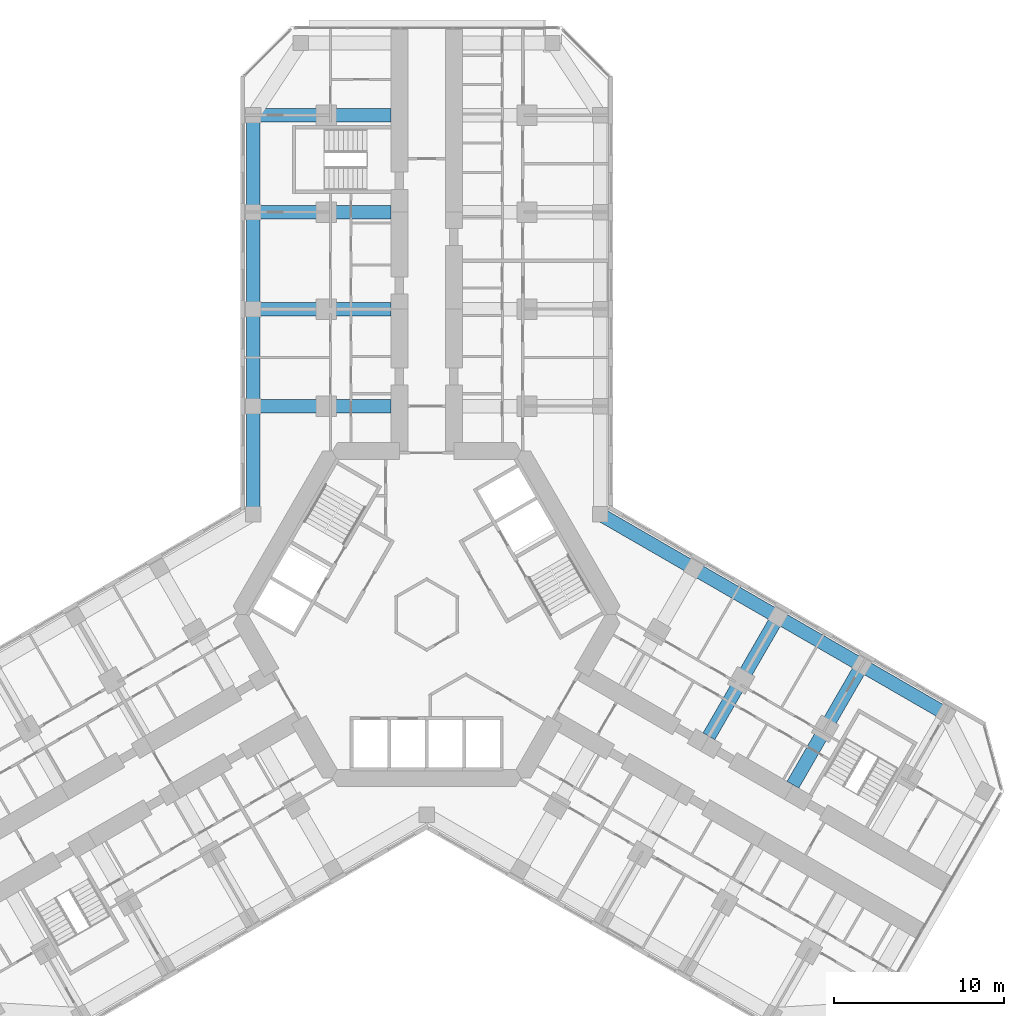
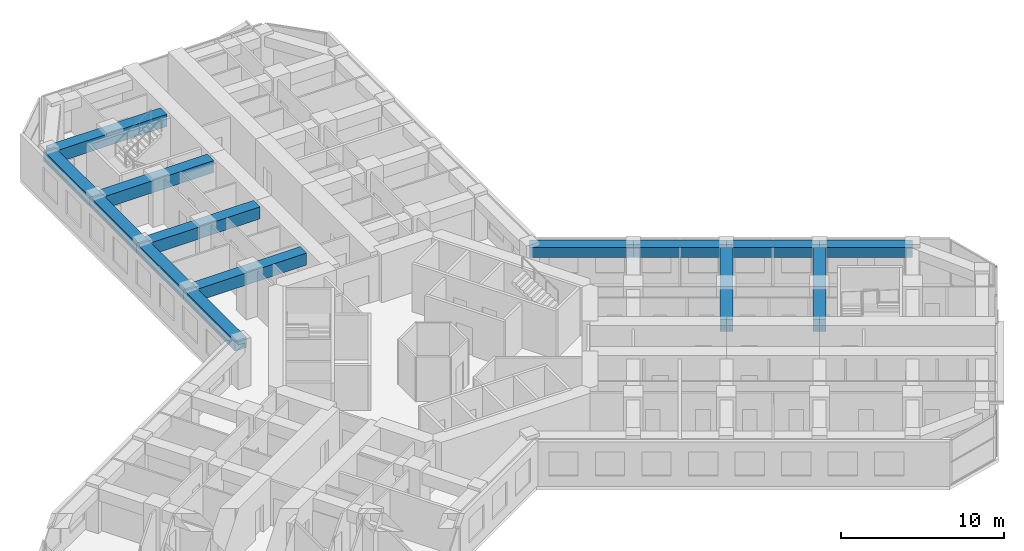
# One storey, part 6 of 21: 14 beams.
"""IFC4 building model written with IfcOpenShell, lengths in metres."""

from ifc_helpers import new_model, si_unit, direction, frame, origin, origin_2d, place, context, subcontext, project, spatial, rectangle, extrude, material, material_profile, profile_set, type_object, element, save


model = new_model("IFC4")

# Units and contexts
model_context = context("Model", 3, precision=1e-05, world=origin(), true_north=direction((0.0, 1.0)))
body_context = subcontext(model_context, "Body", "Model", "MODEL_VIEW")
ifc_project = project(units=[si_unit("LENGTHUNIT", "METRE"), si_unit("AREAUNIT", "SQUARE_METRE"), si_unit("VOLUMEUNIT", "CUBIC_METRE"), si_unit("PLANEANGLEUNIT", "RADIAN"), si_unit("MASSUNIT", "GRAM", prefix="KILO")], contexts=[model_context])

# Site, building, storey
site_placement = place(None, origin())
site = spatial("IfcSite", under=ifc_project, at=site_placement, CompositionType="ELEMENT")
building_placement = place(site_placement, origin())
building = spatial("IfcBuilding", under=site, at=building_placement, Name="Kosmar Iwan School Tower", CompositionType="ELEMENT")
storey_placement = place(building_placement, frame((0.0, 0.0, 80.800048828125)))
storey = spatial("IfcBuildingStorey", under=building, at=storey_placement, Name="L19", CompositionType="ELEMENT", Elevation=80.800048828125)

# Beams
ifc_material_1 = material(Name="Concrete C50/60", Category="concrete")
ifc_material_profile_1 = material_profile(ifc_material_1, rectangle(XDim=0.800048828125, YDim=0.75, at=origin_2d()), Name="RC 800x750")
ifc_profile_set_1 = profile_set([ifc_material_profile_1], Name="Concrete C50/60")
beam_type_1 = type_object("IfcBeamType", Name="RC edge beam 800x750", PredefinedType="BEAM", material=ifc_profile_set_1)
beam_1_placement = place(storey_placement, frame((-10.199951171875, 5.888916015625, 2.974853515625), z_axis=(0.0, 1.0, 0.0), x_axis=(-1.0, 0.0, 0.0)))
element("IfcBeam", 1, at=beam_1_placement, inside=storey, type_object=beam_type_1, Name="Edge beam AL1", PredefinedType="BEAM", context=body_context, shape_type="SweptSolid", body=[
    extrude(rectangle(XDim=0.800048828125, YDim=0.75, at=origin_2d()), origin(), (0.0, 0.0, 1.0), 6.361083984375),
])
for number, where, z_axis, x_axis, name in (
    (2, (-10.199951171875, 12.25, 2.974853515625), (0.0, 1.0, 0.0), (-1.0, 0.0, 0.0), "Edge beam AL2"),
    (3, (-10.199951171875, 17.949951171875, 2.974853515625), (0.0, 1.0, 0.0), (-1.0, 0.0, 0.0), "Edge beam AL3"),
):
    element("IfcBeam", number, at=place(storey_placement, frame(where, z_axis=z_axis, x_axis=x_axis)), inside=storey, type_object=beam_type_1, Name=name, PredefinedType="BEAM", context=body_context, shape_type="SweptSolid", body=[
        extrude(rectangle(XDim=0.800048828125, YDim=0.75, at=origin_2d()), origin(), (0.0, 0.0, 1.0), 5.699951171875),
    ])
beam_2_placement = place(storey_placement, frame((-10.199951171875, 23.64990234375, 2.974853515625), z_axis=(0.0, 1.0, 0.0), x_axis=(-1.0, 0.0, 0.0)))
element("IfcBeam", 4, at=beam_2_placement, inside=storey, type_object=beam_type_1, Name="Edge beam AL4", PredefinedType="BEAM", context=body_context, shape_type="SweptSolid", body=[
    extrude(rectangle(XDim=0.800048828125, YDim=0.75, at=origin_2d()), origin(), (0.0, 0.0, 1.0), 5.7001953125),
])
beam_3_placement = place(storey_placement, frame((10.199951171875, 5.888916015625, 2.974853515625), z_axis=(0.866030912664, -0.49999045822, 0.0), x_axis=(0.49999045822, 0.866030912664, 0.0)))
element("IfcBeam", 5, at=beam_3_placement, inside=storey, type_object=beam_type_1, Name="Edge beam CL1", PredefinedType="BEAM", context=body_context, shape_type="SweptSolid", body=[
    extrude(rectangle(XDim=0.800048828125, YDim=0.75, at=origin_2d()), origin(), (0.0, 0.0, 1.0), 6.36083984375),
])
beam_4_placement = place(storey_placement, frame((15.708740234375, 2.70849609375, 2.974853515625), z_axis=(0.866025820012, -0.499999279071, 0.0), x_axis=(0.499999279071, 0.866025820012, 0.0)))
element("IfcBeam", 6, at=beam_4_placement, inside=storey, type_object=beam_type_1, Name="Edge beam CL2", PredefinedType="BEAM", context=body_context, shape_type="SweptSolid", body=[
    extrude(rectangle(XDim=0.800048828125, YDim=0.75, at=origin_2d()), origin(), (0.0, 0.0, 1.0), 5.7001953125),
])
for number, where, z_axis, x_axis, name in (
    (7, (20.645263671875, -0.1416015625, 2.974853515625), (0.866033658841, -0.49998570155, 0.0), (0.49998570155, 0.866033658841, 0.0), "Edge beam CL3"),
    (8, (25.58154296875, -2.991455078125, 2.974853515625), (0.866015111908, -0.50001782563, 0.0), (0.50001782563, 0.866015111908, 0.0), "Edge beam CL4"),
):
    element("IfcBeam", number, at=place(storey_placement, frame(where, z_axis=z_axis, x_axis=x_axis)), inside=storey, type_object=beam_type_1, Name=name, PredefinedType="BEAM", context=body_context, shape_type="SweptSolid", body=[
        extrude(rectangle(XDim=0.800048828125, YDim=0.75, at=origin_2d()), origin(), (0.0, 0.0, 1.0), 5.699951171875),
    ])
ifc_material_2 = material(Name="Concrete C50/60", Category="concrete")
ifc_material_profile_2 = material_profile(ifc_material_2, rectangle(XDim=0.800048828125, YDim=0.89990234375, at=origin_2d()), Name="RC 800x900")
ifc_profile_set_2 = profile_set([ifc_material_profile_2], Name="Concrete C50/60")
beam_type_2 = type_object("IfcBeamType", Name="RC transverse beam 800x900", PredefinedType="BEAM", material=ifc_profile_set_2)
for number, where, z_axis, x_axis, name in (
    (9, (-10.199951171875, 12.25, 2.89990234375), (1.0, 0.0, 0.0), (0.0, 1.0, 0.0), "Transverse beam AL1"),
    (10, (-10.199951171875, 17.949951171875, 2.89990234375), (1.0, 0.0, 0.0), (0.0, 1.0, 0.0), "Transverse beam AL2"),
    (11, (-10.199951171875, 23.64990234375, 2.89990234375), (1.0, 0.0, 0.0), (0.0, 1.0, 0.0), "Transverse beam AL3"),
    (12, (-10.199951171875, 29.35009765625, 2.89990234375), (1.0, 0.0, 0.0), (0.0, 1.0, 0.0), "Transverse beam AL4"),
    (13, (20.645263671875, -0.1416015625, 2.89990234375), (-0.500012932018, -0.866017937352, 0.0), (0.866017937352, -0.500012932018, 0.0), "Transverse beam CL2"),
):
    element("IfcBeam", number, at=place(storey_placement, frame(where, z_axis=z_axis, x_axis=x_axis)), inside=storey, type_object=beam_type_2, Name=name, PredefinedType="BEAM", context=body_context, shape_type="SweptSolid", body=[
        extrude(rectangle(XDim=0.800048828125, YDim=0.89990234375, at=origin_2d()), origin(), (0.0, 0.0, 1.0), 8.099853515625),
    ])
beam_5_placement = place(storey_placement, frame((25.58154296875, -2.991455078125, 2.89990234375), z_axis=(-0.499999880539, -0.866025472755, 0.0), x_axis=(0.866025472755, -0.499999880539, 0.0)))
element("IfcBeam", 14, at=beam_5_placement, inside=storey, type_object=beam_type_2, Name="Transverse beam CL3", PredefinedType="BEAM", context=body_context, shape_type="SweptSolid", body=[
    extrude(rectangle(XDim=0.800048828125, YDim=0.89990234375, at=origin_2d()), origin(), (0.0, 0.0, 1.0), 8.10009765625),
])

save(model, "model.ifc")
